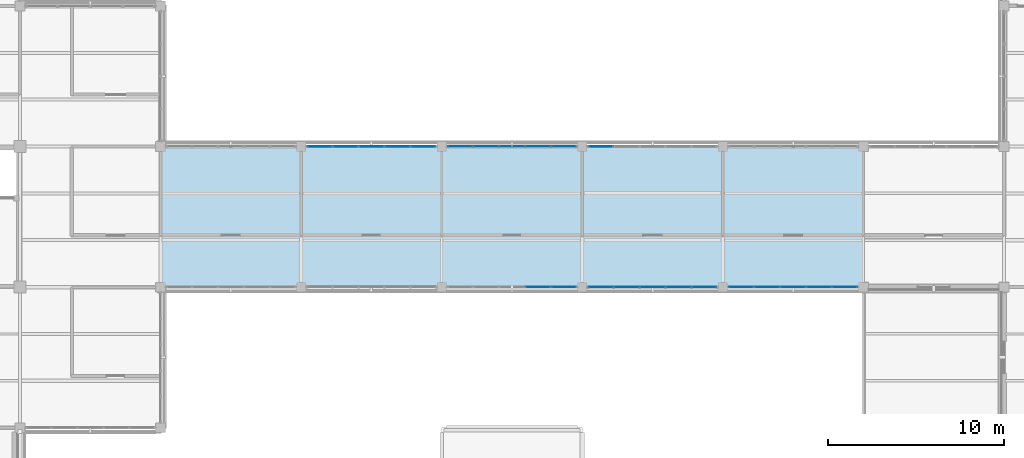
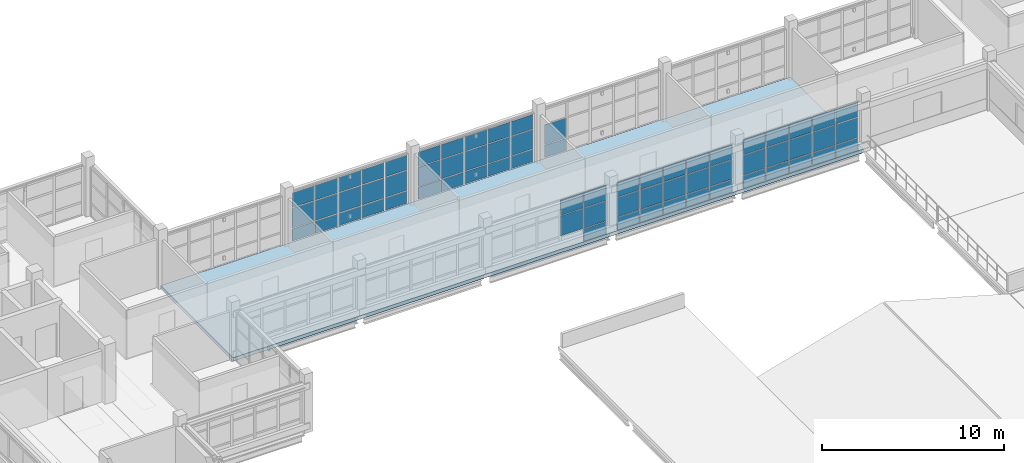
# One storey, part 57 of 92: 67 plates, 1 slab, 6 elements without a shape of their own.
"""IFC4 building model written with IfcOpenShell, lengths in metres."""

from ifc_helpers import new_model, si_unit, derived_unit, direction, frame, origin, origin_2d, place, context, subcontext, project, spatial, polyline, rectangle, outline, extrude, material, layer, layer_set, type_object, element, aggregate, save


model = new_model("IFC4")

# Units and contexts
model_context = context("Model", 3, precision=1e-05, world=origin(), true_north=direction((0.0, 1.0)))
body_context = subcontext(model_context, "Body", "Model", "MODEL_VIEW")
ifc_project = project(units=[si_unit("LENGTHUNIT", "METRE"), si_unit("AREAUNIT", "SQUARE_METRE"), si_unit("VOLUMEUNIT", "CUBIC_METRE"), si_unit("PLANEANGLEUNIT", "RADIAN"), si_unit("MASSUNIT", "GRAM", prefix="KILO"), derived_unit("THERMALTRANSMITTANCEUNIT", [(si_unit("MASSUNIT", "GRAM", prefix="KILO"), 1), (si_unit("TIMEUNIT", "SECOND"), -3), (si_unit("THERMODYNAMICTEMPERATUREUNIT", "KELVIN"), -1)])], contexts=[model_context])

# Site, building, storey
site_placement = place(None, origin())
site = spatial("IfcSite", under=ifc_project, at=site_placement, CompositionType="ELEMENT")
building_placement = place(site_placement, origin())
building = spatial("IfcBuilding", under=site, at=building_placement, Name="Veyamyaing Civic Hall", CompositionType="ELEMENT")
storey_placement = place(building_placement, frame((0.0, 0.0, 17.820068359375)))
storey = spatial("IfcBuildingStorey", under=building, at=storey_placement, Name="L04", CompositionType="ELEMENT", Elevation=17.820068359375)

# Curtain wall, plates
ifc_material_1 = material(Name="Anodised aluminium 6063-T6", Category="aluminium")
ifc_layer_1 = layer(ifc_material_1, 0.139892578125, Name="Anodised aluminium 6063-T6")
ifc_layer_set_1 = layer_set([ifc_layer_1], Name="Anodised aluminium 6063-T6")
curtain_wall_type = type_object("IfcCurtainWallType", Name="CW-04", PredefinedType="NOTDEFINED", material=ifc_layer_set_1)
curtain_wall_1_placement = place(storey_placement, origin())
curtain_wall_1 = element("IfcCurtainWall", 1, at=curtain_wall_1_placement, inside=storey, type_object=curtain_wall_type, Name="Unitized curtain wall CW-04 L04 S 20.7", PredefinedType="NOTDEFINED")
ifc_material_2 = material(Name="Low-E insulated glass", Category="glass")
ifc_layer_2 = layer(ifc_material_2, 0.028076171875, Name="Low-E insulated glass")
ifc_layer_set_2 = layer_set([ifc_layer_2], Name="Low-E insulated glass")
plate_type_1 = type_object("IfcPlateType", Name="CWP-01", PredefinedType="CURTAIN_PANEL", material=ifc_layer_set_2)
plate_1_placement = place(storey_placement, frame((153.05908203125, 48.0, 0.059814453125), z_axis=(0.0, 0.0, 1.0), x_axis=(1.0, 0.0, 0.0)))
plate_1 = element("IfcPlate", 2, at=plate_1_placement, type_object=plate_type_1, Name="CW-04 panel 1.1", PredefinedType="CURTAIN_PANEL", context=body_context, shape_type="SweptSolid", body=[
    extrude(rectangle(XDim=1.387939453125, YDim=0.028076171875, at=origin_2d()), origin(), (0.0, 0.0, 1.0), 0.81005859375),
])
plate_2_placement = place(storey_placement, frame((153.05908203125, 48.0, 0.929931640625), z_axis=(0.0, 0.0, 1.0), x_axis=(1.0, 0.0, 0.0)))
plate_2 = element("IfcPlate", 3, at=plate_2_placement, type_object=plate_type_1, Name="CW-04 panel 1.2", PredefinedType="CURTAIN_PANEL", context=body_context, shape_type="SweptSolid", body=[
    extrude(rectangle(XDim=1.387939453125, YDim=0.028076171875, at=origin_2d()), origin(), (0.0, 0.0, 1.0), 1.3173828125),
])
plate_3_placement = place(storey_placement, frame((153.05908203125, 48.0, 2.30712890625), z_axis=(0.0, 0.0, 1.0), x_axis=(1.0, 0.0, 0.0)))
plate_3 = element("IfcPlate", 4, at=plate_3_placement, type_object=plate_type_1, Name="CW-04 panel 1.3", PredefinedType="CURTAIN_PANEL", context=body_context, shape_type="SweptSolid", body=[
    extrude(rectangle(XDim=1.387939453125, YDim=0.028076171875, at=origin_2d()), origin(), (0.0, 0.0, 1.0), 0.981689453125),
])
plate_4_placement = place(storey_placement, frame((154.52197265625, 48.0, 0.059814453125), z_axis=(0.0, 0.0, 1.0), x_axis=(1.0, 0.0, 0.0)))
plate_4 = element("IfcPlate", 5, at=plate_4_placement, type_object=plate_type_1, Name="CW-04 panel 2.1", PredefinedType="CURTAIN_PANEL", context=body_context, shape_type="SweptSolid", body=[
    extrude(rectangle(XDim=1.41796875, YDim=0.028076171875, at=origin_2d()), origin(), (0.0, 0.0, 1.0), 0.81005859375),
])
plate_5_placement = place(storey_placement, frame((154.52197265625, 48.0, 0.929931640625), z_axis=(0.0, 0.0, 1.0), x_axis=(1.0, 0.0, 0.0)))
plate_5 = element("IfcPlate", 6, at=plate_5_placement, type_object=plate_type_1, Name="CW-04 panel 2.2", PredefinedType="CURTAIN_PANEL", context=body_context, shape_type="SweptSolid", body=[
    extrude(rectangle(XDim=1.41796875, YDim=0.028076171875, at=origin_2d()), origin(), (0.0, 0.0, 1.0), 1.3173828125),
])
plate_6_placement = place(storey_placement, frame((154.52197265625, 48.0, 2.30712890625), z_axis=(0.0, 0.0, 1.0), x_axis=(1.0, 0.0, 0.0)))
plate_6 = element("IfcPlate", 7, at=plate_6_placement, type_object=plate_type_1, Name="CW-04 panel 2.3", PredefinedType="CURTAIN_PANEL", context=body_context, shape_type="SweptSolid", body=[
    extrude(rectangle(XDim=1.41796875, YDim=0.028076171875, at=origin_2d()), origin(), (0.0, 0.0, 1.0), 0.981689453125),
])
plate_7_placement = place(storey_placement, frame((156.0, 48.0, 0.059814453125), z_axis=(0.0, 0.0, 1.0), x_axis=(1.0, 0.0, 0.0)))
plate_7 = element("IfcPlate", 8, at=plate_7_placement, type_object=plate_type_1, Name="CW-04 panel 3.1", PredefinedType="CURTAIN_PANEL", context=body_context, shape_type="SweptSolid", body=[
    extrude(rectangle(XDim=1.41796875, YDim=0.028076171875, at=origin_2d()), origin(), (0.0, 0.0, 1.0), 0.81005859375),
])
plate_8_placement = place(storey_placement, frame((156.0, 48.0, 0.929931640625), z_axis=(0.0, 0.0, 1.0), x_axis=(1.0, 0.0, 0.0)))
plate_8 = element("IfcPlate", 9, at=plate_8_placement, type_object=plate_type_1, Name="CW-04 panel 3.2", PredefinedType="CURTAIN_PANEL", context=body_context, shape_type="SweptSolid", body=[
    extrude(rectangle(XDim=1.41796875, YDim=0.028076171875, at=origin_2d()), origin(), (0.0, 0.0, 1.0), 1.3173828125),
])
plate_9_placement = place(storey_placement, frame((156.0, 48.0, 2.30712890625), z_axis=(0.0, 0.0, 1.0), x_axis=(1.0, 0.0, 0.0)))
plate_9 = element("IfcPlate", 10, at=plate_9_placement, type_object=plate_type_1, Name="CW-04 panel 3.3", PredefinedType="CURTAIN_PANEL", context=body_context, shape_type="SweptSolid", body=[
    extrude(rectangle(XDim=1.41796875, YDim=0.028076171875, at=origin_2d()), origin(), (0.0, 0.0, 1.0), 0.981689453125),
])
plate_10_placement = place(storey_placement, frame((157.47802734375, 48.0, 0.059814453125), z_axis=(0.0, 0.0, 1.0), x_axis=(1.0, 0.0, 0.0)))
plate_10 = element("IfcPlate", 11, at=plate_10_placement, type_object=plate_type_1, Name="CW-04 panel 4.1", PredefinedType="CURTAIN_PANEL", context=body_context, shape_type="SweptSolid", body=[
    extrude(rectangle(XDim=1.41796875, YDim=0.028076171875, at=origin_2d()), origin(), (0.0, 0.0, 1.0), 0.81005859375),
])
plate_11_placement = place(storey_placement, frame((157.47802734375, 48.0, 0.929931640625), z_axis=(0.0, 0.0, 1.0), x_axis=(1.0, 0.0, 0.0)))
plate_11 = element("IfcPlate", 12, at=plate_11_placement, type_object=plate_type_1, Name="CW-04 panel 4.2", PredefinedType="CURTAIN_PANEL", context=body_context, shape_type="SweptSolid", body=[
    extrude(rectangle(XDim=1.41796875, YDim=0.028076171875, at=origin_2d()), origin(), (0.0, 0.0, 1.0), 1.3173828125),
])
plate_12_placement = place(storey_placement, frame((157.47802734375, 48.0, 2.30712890625), z_axis=(0.0, 0.0, 1.0), x_axis=(1.0, 0.0, 0.0)))
plate_12 = element("IfcPlate", 13, at=plate_12_placement, type_object=plate_type_1, Name="CW-04 panel 4.3", PredefinedType="CURTAIN_PANEL", context=body_context, shape_type="SweptSolid", body=[
    extrude(rectangle(XDim=1.41796875, YDim=0.028076171875, at=origin_2d()), origin(), (0.0, 0.0, 1.0), 0.981689453125),
])
plate_13_placement = place(storey_placement, frame((158.94091796875, 48.0, 0.059814453125), z_axis=(0.0, 0.0, 1.0), x_axis=(1.0, 0.0, 0.0)))
plate_13 = element("IfcPlate", 14, at=plate_13_placement, type_object=plate_type_1, Name="CW-04 panel 5.1", PredefinedType="CURTAIN_PANEL", context=body_context, shape_type="SweptSolid", body=[
    extrude(rectangle(XDim=1.387939453125, YDim=0.028076171875, at=origin_2d()), origin(), (0.0, 0.0, 1.0), 0.81005859375),
])
plate_14_placement = place(storey_placement, frame((158.94091796875, 48.0, 0.929931640625), z_axis=(0.0, 0.0, 1.0), x_axis=(1.0, 0.0, 0.0)))
plate_14 = element("IfcPlate", 15, at=plate_14_placement, type_object=plate_type_1, Name="CW-04 panel 5.2", PredefinedType="CURTAIN_PANEL", context=body_context, shape_type="SweptSolid", body=[
    extrude(rectangle(XDim=1.387939453125, YDim=0.028076171875, at=origin_2d()), origin(), (0.0, 0.0, 1.0), 1.3173828125),
])
plate_15_placement = place(storey_placement, frame((158.94091796875, 48.0, 2.30712890625), z_axis=(0.0, 0.0, 1.0), x_axis=(1.0, 0.0, 0.0)))
plate_15 = element("IfcPlate", 16, at=plate_15_placement, type_object=plate_type_1, Name="CW-04 panel 5.3", PredefinedType="CURTAIN_PANEL", context=body_context, shape_type="SweptSolid", body=[
    extrude(rectangle(XDim=1.387939453125, YDim=0.028076171875, at=origin_2d()), origin(), (0.0, 0.0, 1.0), 0.981689453125),
])
aggregate(curtain_wall_1, [plate_1, plate_2, plate_3, plate_4, plate_5, plate_6, plate_7, plate_8, plate_9, plate_10, plate_11, plate_12, plate_13, plate_14, plate_15])

curtain_wall_2_placement = place(storey_placement, origin())
curtain_wall_2 = element("IfcCurtainWall", 17, at=curtain_wall_2_placement, inside=storey, type_object=curtain_wall_type, Name="Unitized curtain wall CW-04 L04 N 17.7", PredefinedType="NOTDEFINED")
ifc_layer_3 = layer(ifc_material_2, 0.02392578125, Name="Low-E insulated glass")
ifc_layer_set_3 = layer_set([ifc_layer_3], Name="Low-E insulated glass")
plate_type_2 = type_object("IfcPlateType", Name="CWP-04", PredefinedType="CURTAIN_PANEL", material=ifc_layer_set_3)
plate_16_placement = place(storey_placement, frame((129.05908203125, 56.0, 0.059814453125), z_axis=(0.0, 0.0, 1.0), x_axis=(1.0, 0.0, 0.0)))
plate_16 = element("IfcPlate", 18, at=plate_16_placement, type_object=plate_type_2, Name="CW-04 panel 1.1", PredefinedType="CURTAIN_PANEL", context=body_context, shape_type="SweptSolid", body=[
    extrude(rectangle(XDim=1.387939453125, YDim=0.02392578125, at=origin_2d()), origin(), (0.0, 0.0, 1.0), 0.81005859375),
])
plate_17_placement = place(storey_placement, frame((129.05908203125, 56.0, 0.929931640625), z_axis=(0.0, 0.0, 1.0), x_axis=(1.0, 0.0, 0.0)))
plate_17 = element("IfcPlate", 19, at=plate_17_placement, type_object=plate_type_2, Name="CW-04 panel 1.2", PredefinedType="CURTAIN_PANEL", context=body_context, shape_type="SweptSolid", body=[
    extrude(rectangle(XDim=1.387939453125, YDim=0.02392578125, at=origin_2d()), origin(), (0.0, 0.0, 1.0), 1.3193359375),
])
plate_18_placement = place(storey_placement, frame((129.05908203125, 56.0, 2.30908203125), z_axis=(0.0, 0.0, 1.0), x_axis=(1.0, 0.0, 0.0)))
plate_18 = element("IfcPlate", 20, at=plate_18_placement, type_object=plate_type_2, Name="CW-04 panel 1.3", PredefinedType="CURTAIN_PANEL", context=body_context, shape_type="SweptSolid", body=[
    extrude(rectangle(XDim=1.387939453125, YDim=0.02392578125, at=origin_2d()), origin(), (0.0, 0.0, 1.0), 0.982666015625),
])
plate_19_placement = place(storey_placement, frame((130.52197265625, 56.0, 0.059814453125), z_axis=(0.0, 0.0, 1.0), x_axis=(1.0, 0.0, 0.0)))
plate_19 = element("IfcPlate", 21, at=plate_19_placement, type_object=plate_type_2, Name="CW-04 panel 2.1", PredefinedType="CURTAIN_PANEL", context=body_context, shape_type="SweptSolid", body=[
    extrude(rectangle(XDim=1.41796875, YDim=0.02392578125, at=origin_2d()), origin(), (0.0, 0.0, 1.0), 0.81005859375),
])
plate_20_placement = place(storey_placement, frame((130.52197265625, 56.0, 0.929931640625), z_axis=(0.0, 0.0, 1.0), x_axis=(1.0, 0.0, 0.0)))
plate_20 = element("IfcPlate", 22, at=plate_20_placement, type_object=plate_type_2, Name="CW-04 panel 2.2", PredefinedType="CURTAIN_PANEL", context=body_context, shape_type="SweptSolid", body=[
    extrude(rectangle(XDim=1.41796875, YDim=0.02392578125, at=origin_2d()), origin(), (0.0, 0.0, 1.0), 1.3193359375),
])
plate_21_placement = place(storey_placement, frame((130.52197265625, 56.0, 2.30908203125), z_axis=(0.0, 0.0, 1.0), x_axis=(1.0, 0.0, 0.0)))
plate_21 = element("IfcPlate", 23, at=plate_21_placement, type_object=plate_type_2, Name="CW-04 panel 2.3", PredefinedType="CURTAIN_PANEL", context=body_context, shape_type="SweptSolid", body=[
    extrude(rectangle(XDim=1.41796875, YDim=0.02392578125, at=origin_2d()), origin(), (0.0, 0.0, 1.0), 0.982666015625),
])
plate_22_placement = place(storey_placement, frame((132.0, 56.0, 0.059814453125), z_axis=(0.0, 0.0, 1.0), x_axis=(1.0, 0.0, 0.0)))
plate_22 = element("IfcPlate", 24, at=plate_22_placement, type_object=plate_type_2, Name="CW-04 panel 3.1", PredefinedType="CURTAIN_PANEL", context=body_context, shape_type="SweptSolid", body=[
    extrude(rectangle(XDim=1.41796875, YDim=0.02392578125, at=origin_2d()), origin(), (0.0, 0.0, 1.0), 0.81005859375),
])
plate_23_placement = place(storey_placement, frame((132.0, 56.0, 0.929931640625), z_axis=(0.0, 0.0, 1.0), x_axis=(1.0, 0.0, 0.0)))
plate_23 = element("IfcPlate", 25, at=plate_23_placement, type_object=plate_type_2, Name="CW-04 panel 3.2", PredefinedType="CURTAIN_PANEL", context=body_context, shape_type="SweptSolid", body=[
    extrude(rectangle(XDim=1.41796875, YDim=0.02392578125, at=origin_2d()), origin(), (0.0, 0.0, 1.0), 1.3193359375),
])
plate_24_placement = place(storey_placement, frame((132.0, 56.0, 2.30908203125), z_axis=(0.0, 0.0, 1.0), x_axis=(1.0, 0.0, 0.0)))
plate_24 = element("IfcPlate", 26, at=plate_24_placement, type_object=plate_type_2, Name="CW-04 panel 3.3", PredefinedType="CURTAIN_PANEL", context=body_context, shape_type="SweptSolid", body=[
    extrude(rectangle(XDim=1.41796875, YDim=0.02392578125, at=origin_2d()), origin(), (0.0, 0.0, 1.0), 0.982666015625),
])
plate_25_placement = place(storey_placement, frame((133.47802734375, 56.0, 0.059814453125), z_axis=(0.0, 0.0, 1.0), x_axis=(1.0, 0.0, 0.0)))
plate_25 = element("IfcPlate", 27, at=plate_25_placement, type_object=plate_type_2, Name="CW-04 panel 4.1", PredefinedType="CURTAIN_PANEL", context=body_context, shape_type="SweptSolid", body=[
    extrude(rectangle(XDim=1.41796875, YDim=0.02392578125, at=origin_2d()), origin(), (0.0, 0.0, 1.0), 0.81005859375),
])
plate_26_placement = place(storey_placement, frame((133.47802734375, 56.0, 0.929931640625), z_axis=(0.0, 0.0, 1.0), x_axis=(1.0, 0.0, 0.0)))
plate_26 = element("IfcPlate", 28, at=plate_26_placement, type_object=plate_type_2, Name="CW-04 panel 4.2", PredefinedType="CURTAIN_PANEL", context=body_context, shape_type="SweptSolid", body=[
    extrude(rectangle(XDim=1.41796875, YDim=0.02392578125, at=origin_2d()), origin(), (0.0, 0.0, 1.0), 1.3193359375),
])
plate_27_placement = place(storey_placement, frame((133.47802734375, 56.0, 2.30908203125), z_axis=(0.0, 0.0, 1.0), x_axis=(1.0, 0.0, 0.0)))
plate_27 = element("IfcPlate", 29, at=plate_27_placement, type_object=plate_type_2, Name="CW-04 panel 4.3", PredefinedType="CURTAIN_PANEL", context=body_context, shape_type="SweptSolid", body=[
    extrude(rectangle(XDim=1.41796875, YDim=0.02392578125, at=origin_2d()), origin(), (0.0, 0.0, 1.0), 0.982666015625),
])
plate_28_placement = place(storey_placement, frame((134.94091796875, 56.0, 0.059814453125), z_axis=(0.0, 0.0, 1.0), x_axis=(1.0, 0.0, 0.0)))
plate_28 = element("IfcPlate", 30, at=plate_28_placement, type_object=plate_type_2, Name="CW-04 panel 5.1", PredefinedType="CURTAIN_PANEL", context=body_context, shape_type="SweptSolid", body=[
    extrude(rectangle(XDim=1.387939453125, YDim=0.02392578125, at=origin_2d()), origin(), (0.0, 0.0, 1.0), 0.81005859375),
])
plate_29_placement = place(storey_placement, frame((134.94091796875, 56.0, 0.929931640625), z_axis=(0.0, 0.0, 1.0), x_axis=(1.0, 0.0, 0.0)))
plate_29 = element("IfcPlate", 31, at=plate_29_placement, type_object=plate_type_2, Name="CW-04 panel 5.2", PredefinedType="CURTAIN_PANEL", context=body_context, shape_type="SweptSolid", body=[
    extrude(rectangle(XDim=1.387939453125, YDim=0.02392578125, at=origin_2d()), origin(), (0.0, 0.0, 1.0), 1.3193359375),
])
plate_30_placement = place(storey_placement, frame((134.94091796875, 56.0, 2.30908203125), z_axis=(0.0, 0.0, 1.0), x_axis=(1.0, 0.0, 0.0)))
plate_30 = element("IfcPlate", 32, at=plate_30_placement, type_object=plate_type_2, Name="CW-04 panel 5.3", PredefinedType="CURTAIN_PANEL", context=body_context, shape_type="SweptSolid", body=[
    extrude(rectangle(XDim=1.387939453125, YDim=0.02392578125, at=origin_2d()), origin(), (0.0, 0.0, 1.0), 0.982666015625),
])
aggregate(curtain_wall_2, [plate_16, plate_17, plate_18, plate_19, plate_20, plate_21, plate_22, plate_23, plate_24, plate_25, plate_26, plate_27, plate_28, plate_29, plate_30])

curtain_wall_3_placement = place(storey_placement, origin())
curtain_wall_3 = element("IfcCurtainWall", 33, at=curtain_wall_3_placement, inside=storey, type_object=curtain_wall_type, Name="Unitized curtain wall CW-04 L04 S 18.7", PredefinedType="NOTDEFINED")
ifc_layer_4 = layer(ifc_material_2, 0.0400390625, Name="Low-E insulated glass")
ifc_layer_set_4 = layer_set([ifc_layer_4], Name="Low-E insulated glass")
plate_type_3 = type_object("IfcPlateType", Name="CWP-05", PredefinedType="CURTAIN_PANEL", material=ifc_layer_set_4)
plate_31_placement = place(storey_placement, frame((141.47802734375, 48.0, 0.929931640625), z_axis=(0.0, 0.0, 1.0), x_axis=(1.0, 0.0, 0.0)))
plate_31 = element("IfcPlate", 34, at=plate_31_placement, type_object=plate_type_3, Name="CW-04 panel 4.2", PredefinedType="CURTAIN_PANEL", context=body_context, shape_type="SweptSolid", body=[
    extrude(rectangle(XDim=1.41796875, YDim=0.0400390625, at=origin_2d()), origin(), (0.0, 0.0, 1.0), 1.3193359375),
])
plate_32_placement = place(storey_placement, frame((141.47802734375, 48.0, 2.30908203125), z_axis=(0.0, 0.0, 1.0), x_axis=(1.0, 0.0, 0.0)))
plate_32 = element("IfcPlate", 35, at=plate_32_placement, type_object=plate_type_3, Name="CW-04 panel 4.3", PredefinedType="CURTAIN_PANEL", context=body_context, shape_type="SweptSolid", body=[
    extrude(rectangle(XDim=1.41796875, YDim=0.0400390625, at=origin_2d()), origin(), (0.0, 0.0, 1.0), 0.982666015625),
])
plate_33_placement = place(storey_placement, frame((142.94091796875, 48.0, 0.059814453125), z_axis=(0.0, 0.0, 1.0), x_axis=(1.0, 0.0, 0.0)))
plate_33 = element("IfcPlate", 36, at=plate_33_placement, type_object=plate_type_3, Name="CW-04 panel 5.1", PredefinedType="CURTAIN_PANEL", context=body_context, shape_type="SweptSolid", body=[
    extrude(rectangle(XDim=1.387939453125, YDim=0.0400390625, at=origin_2d()), origin(), (0.0, 0.0, 1.0), 0.81005859375),
])
plate_34_placement = place(storey_placement, frame((142.94091796875, 48.0, 0.929931640625), z_axis=(0.0, 0.0, 1.0), x_axis=(1.0, 0.0, 0.0)))
plate_34 = element("IfcPlate", 37, at=plate_34_placement, type_object=plate_type_3, Name="CW-04 panel 5.2", PredefinedType="CURTAIN_PANEL", context=body_context, shape_type="SweptSolid", body=[
    extrude(rectangle(XDim=1.387939453125, YDim=0.0400390625, at=origin_2d()), origin(), (0.0, 0.0, 1.0), 1.3193359375),
])
plate_35_placement = place(storey_placement, frame((142.94091796875, 48.0, 2.30908203125), z_axis=(0.0, 0.0, 1.0), x_axis=(1.0, 0.0, 0.0)))
plate_35 = element("IfcPlate", 38, at=plate_35_placement, type_object=plate_type_3, Name="CW-04 panel 5.3", PredefinedType="CURTAIN_PANEL", context=body_context, shape_type="SweptSolid", body=[
    extrude(rectangle(XDim=1.387939453125, YDim=0.0400390625, at=origin_2d()), origin(), (0.0, 0.0, 1.0), 0.982666015625),
])
aggregate(curtain_wall_3, [plate_31, plate_32, plate_33, plate_34, plate_35])

curtain_wall_4_placement = place(storey_placement, origin())
curtain_wall_4 = element("IfcCurtainWall", 39, at=curtain_wall_4_placement, inside=storey, type_object=curtain_wall_type, Name="Unitized curtain wall CW-04 L04 N 18.7", PredefinedType="NOTDEFINED")
plate_36_placement = place(storey_placement, frame((137.05908203125, 56.0, 0.059814453125), z_axis=(0.0, 0.0, 1.0), x_axis=(1.0, 0.0, 0.0)))
plate_36 = element("IfcPlate", 40, at=plate_36_placement, type_object=plate_type_3, Name="CW-04 panel 1.1", PredefinedType="CURTAIN_PANEL", context=body_context, shape_type="SweptSolid", body=[
    extrude(rectangle(XDim=1.387939453125, YDim=0.0400390625, at=origin_2d()), origin(), (0.0, 0.0, 1.0), 0.81005859375),
])
plate_37_placement = place(storey_placement, frame((137.05908203125, 56.0, 0.93017578125), z_axis=(0.0, 0.0, 1.0), x_axis=(1.0, 0.0, 0.0)))
plate_37 = element("IfcPlate", 41, at=plate_37_placement, type_object=plate_type_3, Name="CW-04 panel 1.2", PredefinedType="CURTAIN_PANEL", context=body_context, shape_type="SweptSolid", body=[
    extrude(rectangle(XDim=1.387939453125, YDim=0.0400390625, at=origin_2d()), origin(), (0.0, 0.0, 1.0), 1.273681640625),
])
plate_38_placement = place(storey_placement, frame((137.05908203125, 56.0, 2.263671875), z_axis=(0.0, 0.0, 1.0), x_axis=(1.0, 0.0, 0.0)))
plate_38 = element("IfcPlate", 42, at=plate_38_placement, type_object=plate_type_3, Name="CW-04 panel 1.3", PredefinedType="CURTAIN_PANEL", context=body_context, shape_type="SweptSolid", body=[
    extrude(rectangle(XDim=1.387939453125, YDim=0.0400390625, at=origin_2d()), origin(), (0.0, 0.0, 1.0), 0.961181640625),
])
plate_39_placement = place(storey_placement, frame((138.52197265625, 56.0, 0.059814453125), z_axis=(0.0, 0.0, 1.0), x_axis=(1.0, 0.0, 0.0)))
plate_39 = element("IfcPlate", 43, at=plate_39_placement, type_object=plate_type_3, Name="CW-04 panel 2.1", PredefinedType="CURTAIN_PANEL", context=body_context, shape_type="SweptSolid", body=[
    extrude(rectangle(XDim=1.41796875, YDim=0.0400390625, at=origin_2d()), origin(), (0.0, 0.0, 1.0), 0.81005859375),
])
plate_40_placement = place(storey_placement, frame((138.52197265625, 56.0, 0.93017578125), z_axis=(0.0, 0.0, 1.0), x_axis=(1.0, 0.0, 0.0)))
plate_40 = element("IfcPlate", 44, at=plate_40_placement, type_object=plate_type_3, Name="CW-04 panel 2.2", PredefinedType="CURTAIN_PANEL", context=body_context, shape_type="SweptSolid", body=[
    extrude(rectangle(XDim=1.41796875, YDim=0.0400390625, at=origin_2d()), origin(), (0.0, 0.0, 1.0), 1.273681640625),
])
plate_41_placement = place(storey_placement, frame((138.52197265625, 56.0, 2.263671875), z_axis=(0.0, 0.0, 1.0), x_axis=(1.0, 0.0, 0.0)))
plate_41 = element("IfcPlate", 45, at=plate_41_placement, type_object=plate_type_3, Name="CW-04 panel 2.3", PredefinedType="CURTAIN_PANEL", context=body_context, shape_type="SweptSolid", body=[
    extrude(rectangle(XDim=1.41796875, YDim=0.0400390625, at=origin_2d()), origin(), (0.0, 0.0, 1.0), 0.961181640625),
])
plate_42_placement = place(storey_placement, frame((140.0, 56.0, 0.059814453125), z_axis=(0.0, 0.0, 1.0), x_axis=(1.0, 0.0, 0.0)))
plate_42 = element("IfcPlate", 46, at=plate_42_placement, type_object=plate_type_3, Name="CW-04 panel 3.1", PredefinedType="CURTAIN_PANEL", context=body_context, shape_type="SweptSolid", body=[
    extrude(rectangle(XDim=1.41796875, YDim=0.0400390625, at=origin_2d()), origin(), (0.0, 0.0, 1.0), 0.81005859375),
])
plate_43_placement = place(storey_placement, frame((140.0, 56.0, 0.93017578125), z_axis=(0.0, 0.0, 1.0), x_axis=(1.0, 0.0, 0.0)))
plate_43 = element("IfcPlate", 47, at=plate_43_placement, type_object=plate_type_3, Name="CW-04 panel 3.2", PredefinedType="CURTAIN_PANEL", context=body_context, shape_type="SweptSolid", body=[
    extrude(rectangle(XDim=1.41796875, YDim=0.0400390625, at=origin_2d()), origin(), (0.0, 0.0, 1.0), 1.273681640625),
])
plate_44_placement = place(storey_placement, frame((140.0, 56.0, 2.263671875), z_axis=(0.0, 0.0, 1.0), x_axis=(1.0, 0.0, 0.0)))
plate_44 = element("IfcPlate", 48, at=plate_44_placement, type_object=plate_type_3, Name="CW-04 panel 3.3", PredefinedType="CURTAIN_PANEL", context=body_context, shape_type="SweptSolid", body=[
    extrude(rectangle(XDim=1.41796875, YDim=0.0400390625, at=origin_2d()), origin(), (0.0, 0.0, 1.0), 0.961181640625),
])
plate_45_placement = place(storey_placement, frame((141.47802734375, 56.0, 0.059814453125), z_axis=(0.0, 0.0, 1.0), x_axis=(1.0, 0.0, 0.0)))
plate_45 = element("IfcPlate", 49, at=plate_45_placement, type_object=plate_type_3, Name="CW-04 panel 4.1", PredefinedType="CURTAIN_PANEL", context=body_context, shape_type="SweptSolid", body=[
    extrude(rectangle(XDim=1.41796875, YDim=0.0400390625, at=origin_2d()), origin(), (0.0, 0.0, 1.0), 0.81005859375),
])
plate_46_placement = place(storey_placement, frame((141.47802734375, 56.0, 0.93017578125), z_axis=(0.0, 0.0, 1.0), x_axis=(1.0, 0.0, 0.0)))
plate_46 = element("IfcPlate", 50, at=plate_46_placement, type_object=plate_type_3, Name="CW-04 panel 4.2", PredefinedType="CURTAIN_PANEL", context=body_context, shape_type="SweptSolid", body=[
    extrude(rectangle(XDim=1.41796875, YDim=0.0400390625, at=origin_2d()), origin(), (0.0, 0.0, 1.0), 1.273681640625),
])
plate_47_placement = place(storey_placement, frame((141.47802734375, 56.0, 2.263671875), z_axis=(0.0, 0.0, 1.0), x_axis=(1.0, 0.0, 0.0)))
plate_47 = element("IfcPlate", 51, at=plate_47_placement, type_object=plate_type_3, Name="CW-04 panel 4.3", PredefinedType="CURTAIN_PANEL", context=body_context, shape_type="SweptSolid", body=[
    extrude(rectangle(XDim=1.41796875, YDim=0.0400390625, at=origin_2d()), origin(), (0.0, 0.0, 1.0), 0.961181640625),
])
plate_48_placement = place(storey_placement, frame((142.94091796875, 56.0, 0.059814453125), z_axis=(0.0, 0.0, 1.0), x_axis=(1.0, 0.0, 0.0)))
plate_48 = element("IfcPlate", 52, at=plate_48_placement, type_object=plate_type_3, Name="CW-04 panel 5.1", PredefinedType="CURTAIN_PANEL", context=body_context, shape_type="SweptSolid", body=[
    extrude(rectangle(XDim=1.387939453125, YDim=0.0400390625, at=origin_2d()), origin(), (0.0, 0.0, 1.0), 0.81005859375),
])
plate_49_placement = place(storey_placement, frame((142.94091796875, 56.0, 0.93017578125), z_axis=(0.0, 0.0, 1.0), x_axis=(1.0, 0.0, 0.0)))
plate_49 = element("IfcPlate", 53, at=plate_49_placement, type_object=plate_type_3, Name="CW-04 panel 5.2", PredefinedType="CURTAIN_PANEL", context=body_context, shape_type="SweptSolid", body=[
    extrude(rectangle(XDim=1.387939453125, YDim=0.0400390625, at=origin_2d()), origin(), (0.0, 0.0, 1.0), 1.273681640625),
])
plate_50_placement = place(storey_placement, frame((142.94091796875, 56.0, 2.263671875), z_axis=(0.0, 0.0, 1.0), x_axis=(1.0, 0.0, 0.0)))
plate_50 = element("IfcPlate", 54, at=plate_50_placement, type_object=plate_type_3, Name="CW-04 panel 5.3", PredefinedType="CURTAIN_PANEL", context=body_context, shape_type="SweptSolid", body=[
    extrude(rectangle(XDim=1.387939453125, YDim=0.0400390625, at=origin_2d()), origin(), (0.0, 0.0, 1.0), 0.961181640625),
])
aggregate(curtain_wall_4, [plate_36, plate_37, plate_38, plate_39, plate_40, plate_41, plate_42, plate_43, plate_44, plate_45, plate_46, plate_47, plate_48, plate_49, plate_50])

curtain_wall_5_placement = place(storey_placement, origin())
curtain_wall_5 = element("IfcCurtainWall", 55, at=curtain_wall_5_placement, inside=storey, type_object=curtain_wall_type, Name="Unitized curtain wall CW-04 L04 S 19.7", PredefinedType="NOTDEFINED")
ifc_layer_5 = layer(ifc_material_2, 0.02197265625, Name="Low-E insulated glass")
ifc_layer_set_5 = layer_set([ifc_layer_5], Name="Low-E insulated glass")
plate_type_4 = type_object("IfcPlateType", Name="CWP-06", PredefinedType="CURTAIN_PANEL", material=ifc_layer_set_5)
plate_51_placement = place(storey_placement, frame((145.05908203125, 48.0, 0.059814453125), z_axis=(0.0, 0.0, 1.0), x_axis=(1.0, 0.0, 0.0)))
plate_51 = element("IfcPlate", 56, at=plate_51_placement, type_object=plate_type_4, Name="CW-04 panel 1.1", PredefinedType="CURTAIN_PANEL", context=body_context, shape_type="SweptSolid", body=[
    extrude(rectangle(XDim=1.387939453125, YDim=0.02197265625, at=origin_2d()), origin(), (0.0, 0.0, 1.0), 0.81005859375),
])
plate_52_placement = place(storey_placement, frame((145.05908203125, 48.0, 0.93017578125), z_axis=(0.0, 0.0, 1.0), x_axis=(1.0, 0.0, 0.0)))
plate_52 = element("IfcPlate", 57, at=plate_52_placement, type_object=plate_type_4, Name="CW-04 panel 1.2", PredefinedType="CURTAIN_PANEL", context=body_context, shape_type="SweptSolid", body=[
    extrude(rectangle(XDim=1.387939453125, YDim=0.02197265625, at=origin_2d()), origin(), (0.0, 0.0, 1.0), 1.273681640625),
])
plate_53_placement = place(storey_placement, frame((145.05908203125, 48.0, 2.263671875), z_axis=(0.0, 0.0, 1.0), x_axis=(1.0, 0.0, 0.0)))
plate_53 = element("IfcPlate", 58, at=plate_53_placement, type_object=plate_type_4, Name="CW-04 panel 1.3", PredefinedType="CURTAIN_PANEL", context=body_context, shape_type="SweptSolid", body=[
    extrude(rectangle(XDim=1.387939453125, YDim=0.02197265625, at=origin_2d()), origin(), (0.0, 0.0, 1.0), 0.961181640625),
])
plate_54_placement = place(storey_placement, frame((146.52197265625, 48.0, 0.059814453125), z_axis=(0.0, 0.0, 1.0), x_axis=(1.0, 0.0, 0.0)))
plate_54 = element("IfcPlate", 59, at=plate_54_placement, type_object=plate_type_4, Name="CW-04 panel 2.1", PredefinedType="CURTAIN_PANEL", context=body_context, shape_type="SweptSolid", body=[
    extrude(rectangle(XDim=1.41796875, YDim=0.02197265625, at=origin_2d()), origin(), (0.0, 0.0, 1.0), 0.81005859375),
])
plate_55_placement = place(storey_placement, frame((146.52197265625, 48.0, 0.93017578125), z_axis=(0.0, 0.0, 1.0), x_axis=(1.0, 0.0, 0.0)))
plate_55 = element("IfcPlate", 60, at=plate_55_placement, type_object=plate_type_4, Name="CW-04 panel 2.2", PredefinedType="CURTAIN_PANEL", context=body_context, shape_type="SweptSolid", body=[
    extrude(rectangle(XDim=1.41796875, YDim=0.02197265625, at=origin_2d()), origin(), (0.0, 0.0, 1.0), 1.273681640625),
])
plate_56_placement = place(storey_placement, frame((146.52197265625, 48.0, 2.263671875), z_axis=(0.0, 0.0, 1.0), x_axis=(1.0, 0.0, 0.0)))
plate_56 = element("IfcPlate", 61, at=plate_56_placement, type_object=plate_type_4, Name="CW-04 panel 2.3", PredefinedType="CURTAIN_PANEL", context=body_context, shape_type="SweptSolid", body=[
    extrude(rectangle(XDim=1.41796875, YDim=0.02197265625, at=origin_2d()), origin(), (0.0, 0.0, 1.0), 0.961181640625),
])
plate_57_placement = place(storey_placement, frame((148.0, 48.0, 0.059814453125), z_axis=(0.0, 0.0, 1.0), x_axis=(1.0, 0.0, 0.0)))
plate_57 = element("IfcPlate", 62, at=plate_57_placement, type_object=plate_type_4, Name="CW-04 panel 3.1", PredefinedType="CURTAIN_PANEL", context=body_context, shape_type="SweptSolid", body=[
    extrude(rectangle(XDim=1.41796875, YDim=0.02197265625, at=origin_2d()), origin(), (0.0, 0.0, 1.0), 0.81005859375),
])
plate_58_placement = place(storey_placement, frame((148.0, 48.0, 0.93017578125), z_axis=(0.0, 0.0, 1.0), x_axis=(1.0, 0.0, 0.0)))
plate_58 = element("IfcPlate", 63, at=plate_58_placement, type_object=plate_type_4, Name="CW-04 panel 3.2", PredefinedType="CURTAIN_PANEL", context=body_context, shape_type="SweptSolid", body=[
    extrude(rectangle(XDim=1.41796875, YDim=0.02197265625, at=origin_2d()), origin(), (0.0, 0.0, 1.0), 1.273681640625),
])
plate_59_placement = place(storey_placement, frame((148.0, 48.0, 2.263671875), z_axis=(0.0, 0.0, 1.0), x_axis=(1.0, 0.0, 0.0)))
plate_59 = element("IfcPlate", 64, at=plate_59_placement, type_object=plate_type_4, Name="CW-04 panel 3.3", PredefinedType="CURTAIN_PANEL", context=body_context, shape_type="SweptSolid", body=[
    extrude(rectangle(XDim=1.41796875, YDim=0.02197265625, at=origin_2d()), origin(), (0.0, 0.0, 1.0), 0.961181640625),
])
plate_60_placement = place(storey_placement, frame((149.47802734375, 48.0, 0.059814453125), z_axis=(0.0, 0.0, 1.0), x_axis=(1.0, 0.0, 0.0)))
plate_60 = element("IfcPlate", 65, at=plate_60_placement, type_object=plate_type_4, Name="CW-04 panel 4.1", PredefinedType="CURTAIN_PANEL", context=body_context, shape_type="SweptSolid", body=[
    extrude(rectangle(XDim=1.41796875, YDim=0.02197265625, at=origin_2d()), origin(), (0.0, 0.0, 1.0), 0.81005859375),
])
plate_61_placement = place(storey_placement, frame((149.47802734375, 48.0, 0.93017578125), z_axis=(0.0, 0.0, 1.0), x_axis=(1.0, 0.0, 0.0)))
plate_61 = element("IfcPlate", 66, at=plate_61_placement, type_object=plate_type_4, Name="CW-04 panel 4.2", PredefinedType="CURTAIN_PANEL", context=body_context, shape_type="SweptSolid", body=[
    extrude(rectangle(XDim=1.41796875, YDim=0.02197265625, at=origin_2d()), origin(), (0.0, 0.0, 1.0), 1.273681640625),
])
plate_62_placement = place(storey_placement, frame((149.47802734375, 48.0, 2.263671875), z_axis=(0.0, 0.0, 1.0), x_axis=(1.0, 0.0, 0.0)))
plate_62 = element("IfcPlate", 67, at=plate_62_placement, type_object=plate_type_4, Name="CW-04 panel 4.3", PredefinedType="CURTAIN_PANEL", context=body_context, shape_type="SweptSolid", body=[
    extrude(rectangle(XDim=1.41796875, YDim=0.02197265625, at=origin_2d()), origin(), (0.0, 0.0, 1.0), 0.961181640625),
])
plate_63_placement = place(storey_placement, frame((150.94091796875, 48.0, 0.059814453125), z_axis=(0.0, 0.0, 1.0), x_axis=(1.0, 0.0, 0.0)))
plate_63 = element("IfcPlate", 68, at=plate_63_placement, type_object=plate_type_4, Name="CW-04 panel 5.1", PredefinedType="CURTAIN_PANEL", context=body_context, shape_type="SweptSolid", body=[
    extrude(rectangle(XDim=1.387939453125, YDim=0.02197265625, at=origin_2d()), origin(), (0.0, 0.0, 1.0), 0.81005859375),
])
plate_64_placement = place(storey_placement, frame((150.94091796875, 48.0, 0.93017578125), z_axis=(0.0, 0.0, 1.0), x_axis=(1.0, 0.0, 0.0)))
plate_64 = element("IfcPlate", 69, at=plate_64_placement, type_object=plate_type_4, Name="CW-04 panel 5.2", PredefinedType="CURTAIN_PANEL", context=body_context, shape_type="SweptSolid", body=[
    extrude(rectangle(XDim=1.387939453125, YDim=0.02197265625, at=origin_2d()), origin(), (0.0, 0.0, 1.0), 1.273681640625),
])
plate_65_placement = place(storey_placement, frame((150.94091796875, 48.0, 2.263671875), z_axis=(0.0, 0.0, 1.0), x_axis=(1.0, 0.0, 0.0)))
plate_65 = element("IfcPlate", 70, at=plate_65_placement, type_object=plate_type_4, Name="CW-04 panel 5.3", PredefinedType="CURTAIN_PANEL", context=body_context, shape_type="SweptSolid", body=[
    extrude(rectangle(XDim=1.387939453125, YDim=0.02197265625, at=origin_2d()), origin(), (0.0, 0.0, 1.0), 0.961181640625),
])
aggregate(curtain_wall_5, [plate_51, plate_52, plate_53, plate_54, plate_55, plate_56, plate_57, plate_58, plate_59, plate_60, plate_61, plate_62, plate_63, plate_64, plate_65])

curtain_wall_6_placement = place(storey_placement, origin())
curtain_wall_6 = element("IfcCurtainWall", 71, at=curtain_wall_6_placement, inside=storey, type_object=curtain_wall_type, Name="Unitized curtain wall CW-04 L04 N 19.7", PredefinedType="NOTDEFINED")
plate_66_placement = place(storey_placement, frame((145.05908203125, 56.0, 0.059814453125), z_axis=(0.0, 0.0, 1.0), x_axis=(1.0, 0.0, 0.0)))
plate_66 = element("IfcPlate", 72, at=plate_66_placement, type_object=plate_type_4, Name="CW-04 panel 1.1", PredefinedType="CURTAIN_PANEL", context=body_context, shape_type="SweptSolid", body=[
    extrude(rectangle(XDim=1.387939453125, YDim=0.02197265625, at=origin_2d()), origin(), (0.0, 0.0, 1.0), 0.81005859375),
])
plate_67_placement = place(storey_placement, frame((145.05908203125, 56.0, 0.929931640625), z_axis=(0.0, 0.0, 1.0), x_axis=(1.0, 0.0, 0.0)))
plate_67 = element("IfcPlate", 73, at=plate_67_placement, type_object=plate_type_4, Name="CW-04 panel 1.2", PredefinedType="CURTAIN_PANEL", context=body_context, shape_type="SweptSolid", body=[
    extrude(rectangle(XDim=1.387939453125, YDim=0.02197265625, at=origin_2d()), origin(), (0.0, 0.0, 1.0), 1.3173828125),
])
aggregate(curtain_wall_6, [plate_66, plate_67])

# Slab
ifc_material_3 = material(Name="Concrete C40/50", Category="concrete")
ifc_layer_6 = layer(ifc_material_3, 0.235107421875, Name="Concrete C40/50")
ifc_layer_set_6 = layer_set([ifc_layer_6], Name="Concrete C40/50")
slab_type = type_object("IfcSlabType", Name="SL-06", PredefinedType="FLOOR", material=ifc_layer_set_6)
slab_placement = place(storey_placement, frame((0.0, 0.0, -0.235107421875)))
element("IfcSlab", 74, at=slab_placement, inside=storey, type_object=slab_type, Name="Floor slab SL-06 L04 LNKE.1", PredefinedType="FLOOR", context=body_context, shape_type="SweptSolid", body=[
    extrude(outline(polyline([(120.0, 56.0), (160.0, 56.0), (160.0, 48.0), (120.0, 48.0), (120.0, 56.0)])), origin(), (0.0, 0.0, 1.0), 0.235107421875),
])

save(model, "model.ifc")
